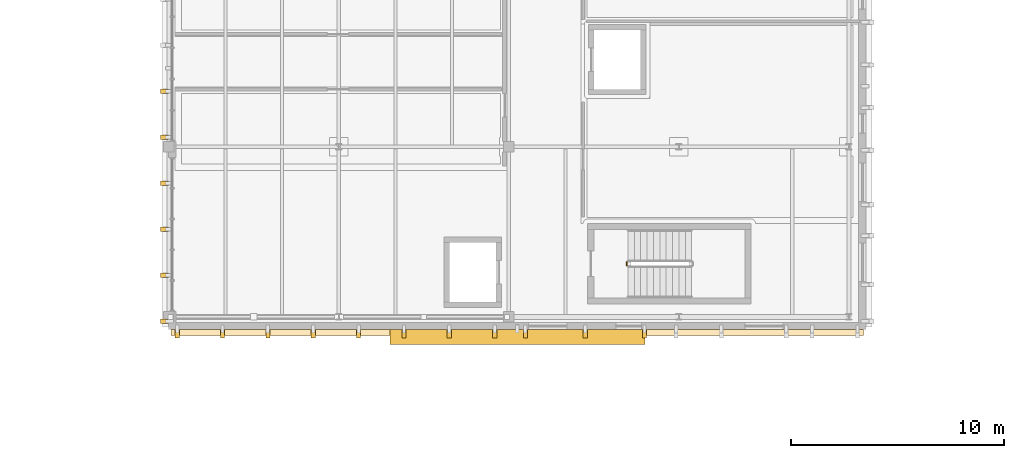
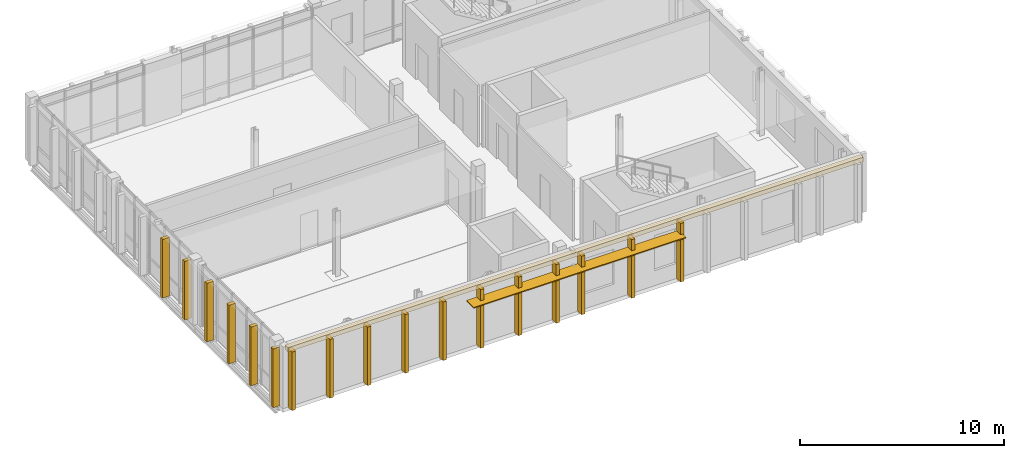
# One storey, part 34 of 40: 18 coverings, 1 railing, 1 shading device.
"""IFC4 building model written with IfcOpenShell, lengths in metres."""

from ifc_helpers import new_model, si_unit, direction, frame, origin, origin_2d, place, context, subcontext, project, spatial, rectangle, circle, extrude, material, layer, layer_set, type_object, element, save


model = new_model("IFC4")

# Units and contexts
model_context = context("Model", 3, precision=1e-05, world=origin(), true_north=direction((0.0, 1.0)))
body_context = subcontext(model_context, "Body", "Model", "MODEL_VIEW")
ifc_project = project(units=[si_unit("LENGTHUNIT", "METRE"), si_unit("AREAUNIT", "SQUARE_METRE"), si_unit("VOLUMEUNIT", "CUBIC_METRE"), si_unit("PLANEANGLEUNIT", "RADIAN"), si_unit("MASSUNIT", "GRAM", prefix="KILO")], contexts=[model_context])

# Site, building, storey
site_placement = place(None, origin())
site = spatial("IfcSite", under=ifc_project, at=site_placement, CompositionType="ELEMENT")
building_placement = place(site_placement, origin())
building = spatial("IfcBuilding", under=site, at=building_placement, Name="Cymarion Research Institute", CompositionType="ELEMENT")
storey_placement = place(building_placement, frame((0.0, 0.0, 26.699951171875)))
storey = spatial("IfcBuildingStorey", under=building, at=storey_placement, Name="L06", CompositionType="ELEMENT", Elevation=26.699951171875)

# Shading device
ifc_material_1 = material(Name="Anodised aluminium aerofoil sunshade", Category="aluminium")
ifc_layer_1 = layer(ifc_material_1, 0.06005859375)
ifc_layer_set_1 = layer_set([ifc_layer_1], Name="Anodised aluminium aerofoil sunshade")
shading_device_type = type_object("IfcShadingDeviceType", Name="ANODISED ALUMINIUM HORIZONTAL SUNSHADE SHD1 700MM", PredefinedType="AWNING", material=ifc_layer_set_1)
shading_device_placement = place(storey_placement, frame((31.0, 46.548095703125, 2.7900390625), z_axis=(0.0, 0.0, 1.0), x_axis=(0.0, -1.0, 0.0)))
element("IfcShadingDevice", 1, at=shading_device_placement, inside=storey, type_object=shading_device_type, Name="L06 V4 south aluminium sunshade SHD1 #13", PredefinedType="AWNING", context=body_context, shape_type="SweptSolid", body=[
    extrude(rectangle(XDim=0.699951171875, YDim=12.0, at=origin_2d()), origin(), (0.0, 0.0, 1.0), 0.06005859375),
])

# Railing
ifc_material_2 = material(Name="Steel S355", Category="steel")
railing_type = type_object("IfcRailingType", Name="PAINTED STEEL STAIR GUARDRAIL GR1 1100MM", PredefinedType="GUARDRAIL", material=ifc_material_2)
railing_placement = place(storey_placement, frame((36.14990234375, 49.919921875, 0.0)))
element("IfcRailing", 2, at=railing_placement, inside=storey, type_object=railing_type, Name="L06 ST7 stair guard 4", PredefinedType="GUARDRAIL", context=body_context, shape_type="SweptSolid", body=[
    extrude(circle(Radius=0.02392578125, at=origin_2d()), frame((0.0, 0.0, 1.076171875), z_axis=(0.0, 1.0, 0.0), x_axis=(-1.0, 0.0, 0.0)), (0.0, 0.0, 1.0), 0.16015625),
    extrude(circle(Radius=0.02099609375, at=origin_2d()), origin(), (0.0, 0.0, 1.0), 1.052001953125),
    extrude(circle(Radius=0.02099609375, at=origin_2d()), frame((0.0, 0.16015625, 0.0)), (0.0, 0.0, 1.0), 1.052001953125),
])

# Coverings
ifc_material_3 = material(Name="Precast concrete C45/55 architectural white", Category="concrete")
ifc_layer_2 = layer(ifc_material_3, 0.260009765625)
ifc_layer_set_2 = layer_set([ifc_layer_2], Name="Precast concrete C45/55 architectural white")
covering_type_1 = type_object("IfcCoveringType", Name="SCULPTURAL WHITE PRECAST CONCRETE SPANDREL BROW BAND RIB2 280MM", PredefinedType="CLADDING", material=ifc_layer_set_2)
covering_placement = place(storey_placement, frame((31.0, 46.758056640625, 3.52001953125), z_axis=(0.0, 0.0, 1.0), x_axis=(0.0, -1.0, 0.0)))
element("IfcCovering", 3, at=covering_placement, inside=storey, type_object=covering_type_1, Name="L06 V4 precast spandrel brow band RIB2 #1102", PredefinedType="CLADDING", context=body_context, shape_type="SweptSolid", body=[
    extrude(rectangle(XDim=0.280029296875, YDim=32.56005859375, at=origin_2d()), origin(), (0.0, 0.0, 1.0), 0.260009765625),
])
ifc_layer_3 = layer(ifc_material_3, 0.199951171875)
ifc_layer_set_3 = layer_set([ifc_layer_3], Name="Precast concrete C45/55 architectural white")
covering_type_2 = type_object("IfcCoveringType", Name="SCULPTURAL WHITE PRECAST CONCRETE VERTICAL RIB RIB1 380X200", PredefinedType="CLADDING", material=ifc_layer_set_3)
for number, where, z_axis, x_axis, name in (
    (4, (15.0, 46.7080078125, 0.010009765625), (0.0, 0.0, 1.0), (0.0, -1.0, 0.0), "L06 V4 sculptural precast vertical rib RIB1 #1103"),
    (5, (17.13330078125, 46.7080078125, 0.010009765625), (0.0, 0.0, 1.0), (0.0, -1.0, 0.0), "L06 V4 sculptural precast vertical rib RIB1 #1104"),
    (6, (19.2666015625, 46.7080078125, 0.010009765625), (0.0, 0.0, 1.0), (0.0, -1.0, 0.0), "L06 V4 sculptural precast vertical rib RIB1 #1105"),
    (7, (21.39990234375, 46.7080078125, 0.010009765625), (0.0, 0.0, 1.0), (0.0, -1.0, 0.0), "L06 V4 sculptural precast vertical rib RIB1 #1106"),
    (8, (23.533203125, 46.7080078125, 0.010009765625), (0.0, 0.0, 1.0), (0.0, -1.0, 0.0), "L06 V4 sculptural precast vertical rib RIB1 #1107"),
    (9, (25.666748046875, 46.7080078125, 0.010009765625), (0.0, 0.0, 1.0), (0.0, -1.0, 0.0), "L06 V4 sculptural precast vertical rib RIB1 #1108"),
    (10, (27.800048828125, 46.7080078125, 0.010009765625), (0.0, 0.0, 1.0), (0.0, -1.0, 0.0), "L06 V4 sculptural precast vertical rib RIB1 #1109"),
    (11, (29.933349609375, 46.7080078125, 0.010009765625), (0.0, 0.0, 1.0), (0.0, -1.0, 0.0), "L06 V4 sculptural precast vertical rib RIB1 #1110"),
    (12, (31.3798828125, 46.7080078125, 0.010009765625), (0.0, 0.0, 1.0), (0.0, -1.0, 0.0), "L06 V4 sculptural precast vertical rib RIB1 #1111"),
    (13, (34.199951171875, 46.7080078125, 0.010009765625), (0.0, 0.0, 1.0), (0.0, -1.0, 0.0), "L06 V4 sculptural precast vertical rib RIB1 #1112"),
    (14, (36.97998046875, 46.7080078125, 0.010009765625), (0.0, 0.0, 1.0), (0.0, -1.0, 0.0), "L06 V4 sculptural precast vertical rib RIB1 #1113"),
    (15, (14.407958984375, 58.1181640625, 0.010009765625), (0.0, 0.0, 1.0), (-1.0, 0.0, 0.0), "L06 V4 sculptural precast vertical rib RIB1 #1159"),
    (16, (14.407958984375, 55.95458984375, 0.010009765625), (0.0, 0.0, 1.0), (-1.0, 0.0, 0.0), "L06 V4 sculptural precast vertical rib RIB1 #1160"),
    (17, (14.407958984375, 53.791015625, 0.010009765625), (0.0, 0.0, 1.0), (-1.0, 0.0, 0.0), "L06 V4 sculptural precast vertical rib RIB1 #1161"),
    (18, (14.407958984375, 51.627197265625, 0.010009765625), (0.0, 0.0, 1.0), (-1.0, 0.0, 0.0), "L06 V4 sculptural precast vertical rib RIB1 #1162"),
    (19, (14.407958984375, 49.463623046875, 0.010009765625), (0.0, 0.0, 1.0), (-1.0, 0.0, 0.0), "L06 V4 sculptural precast vertical rib RIB1 #1163"),
    (20, (14.407958984375, 47.300048828125, 0.010009765625), (0.0, 0.0, 1.0), (-1.0, 0.0, 0.0), "L06 V4 sculptural precast vertical rib RIB1 #1164"),
):
    element("IfcCovering", number, at=place(storey_placement, frame(where, z_axis=z_axis, x_axis=x_axis)), inside=storey, type_object=covering_type_2, Name=name, PredefinedType="CLADDING", context=body_context, shape_type="SweptSolid", body=[
        extrude(rectangle(XDim=0.3798828125, YDim=0.199951171875, at=origin_2d()), origin(), (0.0, 0.0, 1.0), 3.5048828125),
    ])

save(model, "model.ifc")
